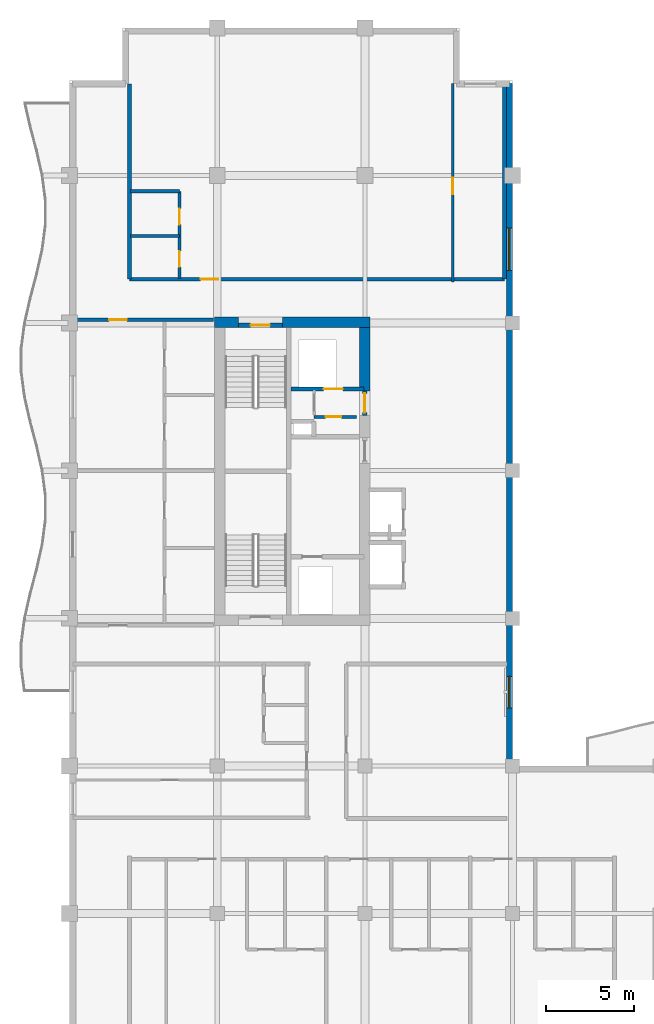
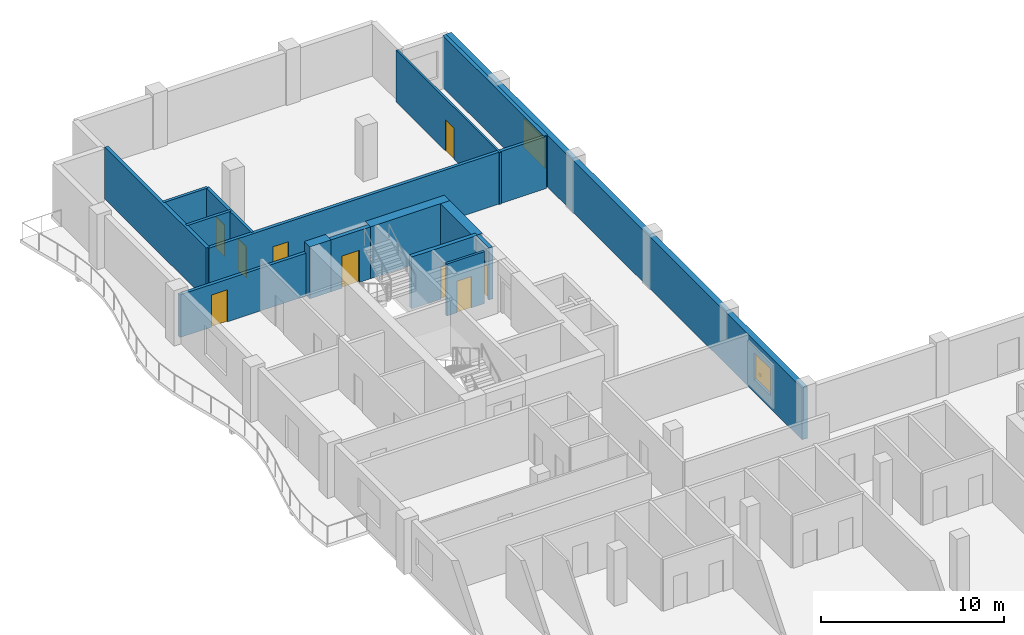
# One storey, part 7 of 12: 16 walls, 9 doors, 2 windows, 11 openings.
"""IFC4 building model written with IfcOpenShell, lengths in metres."""

from ifc_helpers import new_model, si_unit, direction, frame, frame_2d, origin, place, context, subcontext, project, spatial, rectangle, extrude, material, layer, layer_set, type_object, element, fill, save


model = new_model("IFC4")

# Units and contexts
model_context = context("Model", 3, precision=1e-05, world=origin(), true_north=direction((0.0, 1.0)))
body_context = subcontext(model_context, "Body", "Model", "MODEL_VIEW")
ifc_project = project(units=[si_unit("LENGTHUNIT", "METRE"), si_unit("AREAUNIT", "SQUARE_METRE"), si_unit("VOLUMEUNIT", "CUBIC_METRE"), si_unit("PLANEANGLEUNIT", "RADIAN"), si_unit("MASSUNIT", "GRAM", prefix="KILO")], contexts=[model_context])

# Site, building, storey
site_placement = place(None, origin())
site = spatial("IfcSite", under=ifc_project, at=site_placement, CompositionType="ELEMENT")
building_placement = place(site_placement, origin())
building = spatial("IfcBuilding", under=site, at=building_placement, Name="Koriwani Terraces Tower", CompositionType="ELEMENT")
storey_placement = place(building_placement, frame((0.0, 0.0, 249.0)))
storey = spatial("IfcBuildingStorey", under=building, at=storey_placement, Name="L61", CompositionType="ELEMENT", Elevation=249.0)

# Walls
ifc_material_1 = material(Name="Concrete C60/75", Category="concrete")
ifc_layer_1 = layer(ifc_material_1, 0.60009765625, Name="Concrete C60/75")
ifc_layer_set_1 = layer_set([ifc_layer_1], Name="Concrete C60/75")
wall_type_1 = type_object("IfcWallType", Name="WALL_CORE_RC_600", PredefinedType="SHEAR", material=ifc_layer_set_1)
wall_1_placement = place(storey_placement, frame((16.64990234375, 58.85009765625, 0.0), z_axis=(0.0, 0.0, 1.0), x_axis=(1.0, 0.0, 0.0)))
element("IfcWall", 1, at=wall_1_placement, inside=storey, type_object=wall_type_1, Name="L61 West Split Core Shear Wall N1", PredefinedType="SHEAR", context=body_context, shape_type="SweptSolid", body=[
    extrude(rectangle(XDim=1.35009765625, YDim=0.60009765625, at=frame_2d((0.675048828125, 0.0))), origin(), (0.0, 0.0, 1.0), 3.469970703125),
])
wall_2_placement = place(storey_placement, frame((20.5, 58.85009765625, 0.0), z_axis=(0.0, 0.0, 1.0), x_axis=(1.0, 0.0, 0.0)))
element("IfcWall", 2, at=wall_2_placement, inside=storey, type_object=wall_type_1, Name="L61 West Split Core Shear Wall N2", PredefinedType="SHEAR", context=body_context, shape_type="SweptSolid", body=[
    extrude(rectangle(XDim=5.0, YDim=0.60009765625, at=frame_2d((2.5, 0.0))), origin(), (0.0, 0.0, 1.0), 3.469970703125),
])
wall_3_placement = place(storey_placement, frame((25.199951171875, 54.949951171875, 0.0), z_axis=(0.0, 0.0, 1.0), x_axis=(0.0, 1.0, 0.0)))
element("IfcWall", 3, at=wall_3_placement, inside=storey, type_object=wall_type_1, Name="L61 West Split Core Shear Wall E3", PredefinedType="SHEAR", context=body_context, shape_type="SweptSolid", body=[
    extrude(rectangle(XDim=3.60009765625, YDim=0.60009765625, at=frame_2d((1.800048828125, 0.0))), origin(), (0.0, 0.0, 1.0), 3.469970703125),
])

# Wall, opening, door
ifc_material_2 = material(Name="Autoclaved Cellular Concrete Blockwork", Category="masonry")
ifc_layer_2 = layer(ifc_material_2, 0.199951171875, Name="Autoclaved Cellular Concrete Blockwork")
ifc_layer_set_2 = layer_set([ifc_layer_2], Name="Autoclaved Cellular Concrete Blockwork")
wall_type_2 = type_object("IfcWallType", Name="WALL_CORRIDOR_200", PredefinedType="PARTITIONING", material=ifc_layer_set_2)
wall_4_placement = place(storey_placement, frame((8.64990234375, 59.0, 0.0), z_axis=(0.0, 0.0, 1.0), x_axis=(1.0, 0.0, 0.0)))
wall_4 = element("IfcWall", 4, at=wall_4_placement, inside=storey, type_object=wall_type_2, Name="L61 Interior Wall WRZ4-WN-L61", PredefinedType="PARTITIONING", context=body_context, shape_type="SweptSolid", body=[
    extrude(rectangle(XDim=7.9501953125, YDim=0.199951171875, at=frame_2d((3.97509765625, 0.0))), origin(), (0.0, 0.0, 1.0), 2.85302734375),
])
opening_1_placement = place(wall_4_placement, frame((2.0, 0.0, 0.0)))
opening_1 = element("IfcOpeningElement", 5, at=opening_1_placement, cuts=wall_4, Name="Opening D-05", PredefinedType="OPENING", context=body_context, shape_type="SweptSolid", body=[
    extrude(rectangle(XDim=1.0, YDim=2.14990234375, at=frame_2d((0.5, 1.074951171875))), frame((0.0, 0.10986328125, 0.0), z_axis=(0.0, -1.0, 0.0), x_axis=(1.0, 0.0, 0.0)), (0.0, 0.0, 1.0), 0.219970703125),
])
ifc_material_3 = material(Name="Architectural Oak Fire Door", Category="wood")
door_type_1 = type_object("IfcDoorType", Name="DOOR_SUITE_ENTRY_1000X2150", OperationType="NOTDEFINED", PredefinedType="DOOR", material=ifc_material_3)
door_1_placement = place(opening_1_placement, origin())
door_1 = element("IfcDoor", 6, at=door_1_placement, inside=storey, type_object=door_type_1, Name="Apartment 61RW2 Entrance Door", OperationType="SINGLE_SWING_LEFT", OverallHeight=2.14990234375, OverallWidth=1.0, PredefinedType="DOOR", context=body_context, shape_type="SweptSolid", body=[
    extrude(rectangle(XDim=1.0, YDim=2.14990234375, at=frame_2d((0.5, 1.074951171875))), frame((0.0, 0.02490234375, 0.0), z_axis=(0.0, -1.0, 0.0), x_axis=(1.0, 0.0, 0.0)), (0.0, 0.0, 1.0), 0.050048828125),
])
fill(opening_1, door_1)

wall_5_placement = place(storey_placement, frame((11.800048828125, 61.300048828125, 0.0), z_axis=(0.0, 0.0, 1.0), x_axis=(1.0, 0.0, 0.0)))
wall_5 = element("IfcWall", 7, at=wall_5_placement, inside=storey, type_object=wall_type_2, Name="L61 Interior Wall WGB-L61-NT-S", PredefinedType="PARTITIONING", context=body_context, shape_type="SweptSolid", body=[
    extrude(rectangle(XDim=21.349853515625, YDim=0.199951171875, at=frame_2d((10.6748046875, 0.0))), origin(), (0.0, 0.0, 1.0), 3.469970703125),
])
opening_2_placement = place(wall_5_placement, frame((4.050048828125, 0.0, 0.0)))
opening_2 = element("IfcOpeningElement", 8, at=opening_2_placement, cuts=wall_5, Name="Opening D-05", PredefinedType="OPENING", context=body_context, shape_type="SweptSolid", body=[
    extrude(rectangle(XDim=1.0, YDim=2.14990234375, at=frame_2d((0.5, 1.074951171875))), frame((0.0, 0.10986328125, 0.0), z_axis=(0.0, -1.0, 0.0), x_axis=(1.0, 0.0, 0.0)), (0.0, 0.0, 1.0), 0.219970703125),
])
door_2_placement = place(opening_2_placement, origin())
door_2 = element("IfcDoor", 9, at=door_2_placement, inside=storey, type_object=door_type_1, Name="Apartment 61NT Entrance Door", OperationType="SINGLE_SWING_RIGHT", OverallHeight=2.14990234375, OverallWidth=1.0, PredefinedType="DOOR", context=body_context, shape_type="SweptSolid", body=[
    extrude(rectangle(XDim=1.0, YDim=2.14990234375, at=frame_2d((0.5, 1.074951171875))), frame((0.0, 0.02490234375, 0.0), z_axis=(0.0, -1.0, 0.0), x_axis=(1.0, 0.0, 0.0)), (0.0, 0.0, 1.0), 0.050048828125),
])
fill(opening_2, door_2)

# Walls
ifc_layer_3 = layer(ifc_material_2, 0.219970703125, Name="Autoclaved Cellular Concrete Blockwork")
ifc_layer_set_3 = layer_set([ifc_layer_3], Name="Autoclaved Cellular Concrete Blockwork")
wall_type_3 = type_object("IfcWallType", Name="WALL_DEMISING_220", PredefinedType="PARTITIONING", material=ifc_layer_set_3)
for number, where, z_axis, x_axis, name in (
    (10, (33.14990234375, 61.300048828125, 0.0), (0.0, 0.0, 1.0), (0.0, 1.0, 0.0), "L61 Interior Wall WGB-L61-NT-E"),
    (11, (11.800048828125, 61.300048828125, 0.0), (0.0, 0.0, 1.0), (0.0, 1.0, 0.0), "L61 Interior Wall WGB-L61-NT-W"),
):
    element("IfcWall", number, at=place(storey_placement, frame(where, z_axis=z_axis, x_axis=x_axis)), inside=storey, type_object=wall_type_3, Name=name, PredefinedType="PARTITIONING", context=body_context, shape_type="SweptSolid", body=[
        extrude(rectangle(XDim=11.099853515625, YDim=0.219970703125, at=frame_2d((5.5498046875, 0.0))), origin(), (0.0, 0.0, 1.0), 3.469970703125),
    ])

# Wall, openings, windows
ifc_material_4 = material(Name="Concrete C50/60", Category="concrete")
ifc_layer_4 = layer(ifc_material_4, 0.35009765625, Name="Concrete C50/60")
ifc_layer_set_4 = layer_set([ifc_layer_4], Name="Concrete C50/60")
wall_type_4 = type_object("IfcWallType", Name="WALL_EXT_BRUTALIST_350", PredefinedType="STANDARD", material=ifc_layer_set_4)
wall_6_placement = place(storey_placement, frame((33.425048828125, 72.425048828125, 0.0), z_axis=(0.0, 0.0, 1.0), x_axis=(0.0, -1.0, 0.0)))
wall_6 = element("IfcWall", 12, at=wall_6_placement, inside=storey, type_object=wall_type_4, Name="L61 Fair-Faced Brutalist Exterior Wall (NW_IN)", PredefinedType="STANDARD", context=body_context, shape_type="SweptSolid", body=[
    extrude(rectangle(XDim=39.0, YDim=0.35009765625, at=frame_2d((19.5, 0.0))), origin(), (0.0, 0.0, 1.0), 3.469970703125),
])
opening_3_placement = place(wall_6_placement, frame((33.72509765625, 0.0, 0.85009765625)))
opening_3 = element("IfcOpeningElement", 13, at=opening_3_placement, cuts=wall_6, Name="Opening W-04", PredefinedType="OPENING", context=body_context, shape_type="SweptSolid", body=[
    extrude(rectangle(XDim=1.800048828125, YDim=1.800048828125, at=frame_2d((0.89990234375, 0.89990234375))), frame((0.0, 0.18505859375, 0.0), z_axis=(0.0, -1.0, 0.0), x_axis=(1.0, 0.0, 0.0)), (0.0, 0.0, 1.0), 0.3701171875),
])
opening_4_placement = place(wall_6_placement, frame((8.22509765625, 0.0, 0.85009765625)))
opening_4 = element("IfcOpeningElement", 14, at=opening_4_placement, cuts=wall_6, Name="Opening W-03", PredefinedType="OPENING", context=body_context, shape_type="SweptSolid", body=[
    extrude(rectangle(XDim=2.39990234375, YDim=1.949951171875, at=frame_2d((1.199951171875, 0.97509765625))), frame((0.0, 0.18505859375, 0.0), z_axis=(0.0, -1.0, 0.0), x_axis=(1.0, 0.0, 0.0)), (0.0, 0.0, 1.0), 0.3701171875),
])
ifc_material_5 = material(Name="Tempered Laminated Low-E Glass", Category="glass")
window_type_1 = type_object("IfcWindowType", Name="WIN_RES_BED_1800X1800", PartitioningType="DOUBLE_PANEL_VERTICAL", PredefinedType="WINDOW", material=ifc_material_5)
window_1_placement = place(opening_3_placement, origin())
window_1 = element("IfcWindow", 15, at=window_1_placement, inside=storey, type_object=window_type_1, Name="L61 Exterior Window (NW_IN-2)", OverallHeight=1.800048828125, OverallWidth=1.800048828125, PartitioningType="SINGLE_PANEL", PredefinedType="WINDOW", context=body_context, shape_type="SweptSolid", body=[
    extrude(rectangle(XDim=1.800048828125, YDim=1.800048828125, at=frame_2d((0.89990234375, 0.89990234375))), frame((0.0, 0.030029296875, 0.0), z_axis=(0.0, -1.0, 0.0), x_axis=(1.0, 0.0, 0.0)), (0.0, 0.0, 1.0), 0.06005859375),
])
fill(opening_3, window_1)
window_type_2 = type_object("IfcWindowType", Name="WIN_RES_LIVING_2400X1950", PartitioningType="DOUBLE_PANEL_VERTICAL", PredefinedType="WINDOW", material=ifc_material_5)
window_2_placement = place(opening_4_placement, origin())
window_2 = element("IfcWindow", 16, at=window_2_placement, inside=storey, type_object=window_type_2, Name="L61 Exterior Window (NW_IN-11)", OverallHeight=1.949951171875, OverallWidth=2.39990234375, PartitioningType="SINGLE_PANEL", PredefinedType="WINDOW", context=body_context, shape_type="SweptSolid", body=[
    extrude(rectangle(XDim=2.39990234375, YDim=1.949951171875, at=frame_2d((1.199951171875, 0.97509765625))), frame((0.0, 0.030029296875, 0.0), z_axis=(0.0, -1.0, 0.0), x_axis=(1.0, 0.0, 0.0)), (0.0, 0.0, 1.0), 0.06005859375),
])
fill(opening_4, window_2)

# Wall, opening, door
ifc_material_6 = material(Name="Fire-Rated Acoustic Gypsum Partition", Category="masonry")
ifc_layer_5 = layer(ifc_material_6, 0.125, Name="Fire-Rated Acoustic Gypsum Partition")
ifc_layer_set_5 = layer_set([ifc_layer_5], Name="Fire-Rated Acoustic Gypsum Partition")
wall_type_5 = type_object("IfcWallType", Name="WALL_INT_125", PredefinedType="PARTITIONING", material=ifc_layer_set_5)
wall_7_placement = place(storey_placement, frame((30.199951171875, 61.14990234375, 0.0), z_axis=(0.0, 0.0, 1.0), x_axis=(0.0, 1.0, 0.0)))
wall_7 = element("IfcWall", 17, at=wall_7_placement, inside=storey, type_object=wall_type_5, Name="L61 Interior Wall WGB-L61-NT-BD", PredefinedType="PARTITIONING", context=body_context, shape_type="SweptSolid", body=[
    extrude(rectangle(XDim=11.300048828125, YDim=0.125, at=frame_2d((5.64990234375, 0.0))), origin(), (0.0, 0.0, 1.0), 3.469970703125),
])
opening_5_placement = place(wall_7_placement, frame((4.9951171875, 0.0, 0.0)))
opening_5 = element("IfcOpeningElement", 18, at=opening_5_placement, cuts=wall_7, Name="Opening D-06", PredefinedType="OPENING", context=body_context, shape_type="SweptSolid", body=[
    extrude(rectangle(XDim=0.919921875, YDim=2.10009765625, at=frame_2d((0.4599609375, 1.050048828125))), frame((0.0, 0.072509765625, 0.0), z_axis=(0.0, -1.0, 0.0), x_axis=(1.0, 0.0, 0.0)), (0.0, 0.0, 1.0), 0.14501953125),
])
door_type_2 = type_object("IfcDoorType", Name="DOOR_ROOM_INT_920X2100", OperationType="NOTDEFINED", PredefinedType="DOOR", material=ifc_material_3)
door_3_placement = place(opening_5_placement, origin())
door_3 = element("IfcDoor", 19, at=door_3_placement, inside=storey, type_object=door_type_2, Name="Apartment 61NT Master Suite Door", OperationType="SINGLE_SWING_LEFT", OverallHeight=2.10009765625, OverallWidth=0.919921875, PredefinedType="DOOR", context=body_context, shape_type="SweptSolid", body=[
    extrude(rectangle(XDim=0.919921875, YDim=2.10009765625, at=frame_2d((0.4599609375, 1.050048828125))), frame((0.0, 0.02490234375, 0.0), z_axis=(0.0, -1.0, 0.0), x_axis=(1.0, 0.0, 0.0)), (0.0, 0.0, 1.0), 0.050048828125),
])
fill(opening_5, door_3)

# Wall, openings, doors
ifc_layer_6 = layer(ifc_material_6, 0.179931640625, Name="Fire-Rated Acoustic Gypsum Partition")
ifc_layer_set_6 = layer_set([ifc_layer_6], Name="Fire-Rated Acoustic Gypsum Partition")
wall_type_6 = type_object("IfcWallType", Name="WALL_PLUMBING_180", PredefinedType="PLUMBINGWALL", material=ifc_layer_set_6)
wall_8_placement = place(storey_placement, frame((14.64990234375, 61.35009765625, 0.0), z_axis=(0.0, 0.0, 1.0), x_axis=(0.0, 1.0, 0.0)))
wall_8 = element("IfcWall", 20, at=wall_8_placement, inside=storey, type_object=wall_type_6, Name="L61 Interior Wall WGB-L61-NT-SVB", PredefinedType="PLUMBINGWALL", context=body_context, shape_type="SweptSolid", body=[
    extrude(rectangle(XDim=4.949951171875, YDim=0.179931640625, at=frame_2d((2.47509765625, 0.0))), origin(), (0.0, 0.0, 1.0), 3.469970703125),
])
opening_6_placement = place(wall_8_placement, frame((0.64990234375, 0.0, 0.0)))
opening_6 = element("IfcOpeningElement", 21, at=opening_6_placement, cuts=wall_8, Name="Opening D-07", PredefinedType="OPENING", context=body_context, shape_type="SweptSolid", body=[
    extrude(rectangle(XDim=0.89990234375, YDim=2.10009765625, at=frame_2d((0.449951171875, 1.050048828125))), frame((0.0, 0.10009765625, 0.0), z_axis=(0.0, -1.0, 0.0), x_axis=(1.0, 0.0, 0.0)), (0.0, 0.0, 1.0), 0.199951171875),
])
opening_7_placement = place(wall_8_placement, frame((3.050048828125, 0.0, 0.0)))
opening_7 = element("IfcOpeningElement", 22, at=opening_7_placement, cuts=wall_8, Name="Opening D-06", PredefinedType="OPENING", context=body_context, shape_type="SweptSolid", body=[
    extrude(rectangle(XDim=0.919921875, YDim=2.10009765625, at=frame_2d((0.4599609375, 1.050048828125))), frame((0.0, 0.10009765625, 0.0), z_axis=(0.0, -1.0, 0.0), x_axis=(1.0, 0.0, 0.0)), (0.0, 0.0, 1.0), 0.199951171875),
])
door_type_3 = type_object("IfcDoorType", Name="DOOR_BATH_INT_900X2100", OperationType="NOTDEFINED", PredefinedType="DOOR", material=ifc_material_3)
door_4_placement = place(opening_6_placement, origin())
door_4 = element("IfcDoor", 23, at=door_4_placement, inside=storey, type_object=door_type_3, Name="Apartment 61NT Bathroom Door", OperationType="SINGLE_SWING_LEFT", OverallHeight=2.10009765625, OverallWidth=0.89990234375, PredefinedType="DOOR", context=body_context, shape_type="SweptSolid", body=[
    extrude(rectangle(XDim=0.89990234375, YDim=2.10009765625, at=frame_2d((0.449951171875, 1.050048828125))), frame((0.0, 0.02490234375, 0.0), z_axis=(0.0, -1.0, 0.0), x_axis=(1.0, 0.0, 0.0)), (0.0, 0.0, 1.0), 0.050048828125),
])
fill(opening_6, door_4)
door_5_placement = place(opening_7_placement, origin())
door_5 = element("IfcDoor", 24, at=door_5_placement, inside=storey, type_object=door_type_2, Name="Apartment 61NT Kitchen Door", OperationType="SINGLE_SWING_RIGHT", OverallHeight=2.10009765625, OverallWidth=0.919921875, PredefinedType="DOOR", context=body_context, shape_type="SweptSolid", body=[
    extrude(rectangle(XDim=0.919921875, YDim=2.10009765625, at=frame_2d((0.4599609375, 1.050048828125))), frame((0.0, 0.02490234375, 0.0), z_axis=(0.0, -1.0, 0.0), x_axis=(1.0, 0.0, 0.0)), (0.0, 0.0, 1.0), 0.050048828125),
])
fill(opening_7, door_5)

# Walls
for number, where, z_axis, x_axis, name in (
    (25, (11.85009765625, 63.75, 0.0), (0.0, 0.0, 1.0), (1.0, 0.0, 0.0), "L61 Interior Wall WGB-L61-NT-SVM"),
    (26, (11.85009765625, 66.300048828125, 0.0), (0.0, 0.0, 1.0), (1.0, 0.0, 0.0), "L61 Interior Wall WGB-L61-NT-SV2"),
):
    element("IfcWall", number, at=place(storey_placement, frame(where, z_axis=z_axis, x_axis=x_axis)), inside=storey, type_object=wall_type_6, Name=name, PredefinedType="PLUMBINGWALL", context=body_context, shape_type="SweptSolid", body=[
        extrude(rectangle(XDim=2.7998046875, YDim=0.179931640625, at=frame_2d((1.39990234375, 0.0))), origin(), (0.0, 0.0, 1.0), 3.469970703125),
    ])

# Wall, opening, door
ifc_material_7 = material(Name="Concrete C40/50", Category="concrete")
ifc_layer_7 = layer(ifc_material_7, 0.25, Name="Concrete C40/50")
ifc_layer_set_7 = layer_set([ifc_layer_7], Name="Concrete C40/50")
wall_type_7 = type_object("IfcWallType", Name="WALL_SHAFT_RATED_250", PredefinedType="SOLIDWALL", material=ifc_layer_set_7)
wall_9_placement = place(storey_placement, frame((18.0, 58.675048828125, 0.0), z_axis=(0.0, 0.0, 1.0), x_axis=(1.0, 0.0, 0.0)))
wall_9 = element("IfcWall", 27, at=wall_9_placement, inside=storey, type_object=wall_type_7, Name="L61 Interior Wall WIN-CW-L61-STN", PredefinedType="SOLIDWALL", context=body_context, shape_type="SweptSolid", body=[
    extrude(rectangle(XDim=2.5, YDim=0.25, at=frame_2d((1.25, 0.0))), origin(), (0.0, 0.0, 1.0), 3.469970703125),
])
opening_8_placement = place(wall_9_placement, frame((0.699951171875, 0.0, 0.0)))
opening_8 = element("IfcOpeningElement", 28, at=opening_8_placement, cuts=wall_9, Name="Opening D-03", PredefinedType="OPENING", context=body_context, shape_type="SweptSolid", body=[
    extrude(rectangle(XDim=1.10009765625, YDim=2.14990234375, at=frame_2d((0.550048828125, 1.074951171875))), frame((0.0, 0.135009765625, 0.0), z_axis=(0.0, -1.0, 0.0), x_axis=(1.0, 0.0, 0.0)), (0.0, 0.0, 1.0), 0.27001953125),
])
ifc_material_8 = material(Name="Steel ASTM A572 Grade 50", Category="steel")
door_type_4 = type_object("IfcDoorType", Name="DOOR_STAIR_FIRE_1100X2150", OperationType="NOTDEFINED", PredefinedType="DOOR", material=ifc_material_8)
door_6_placement = place(opening_8_placement, origin())
door_6 = element("IfcDoor", 29, at=door_6_placement, inside=storey, type_object=door_type_4, Name="L61 Exit Stair ST-W2 Door", OperationType="SINGLE_SWING_RIGHT", OverallHeight=2.14990234375, OverallWidth=1.10009765625, PredefinedType="DOOR", context=body_context, shape_type="SweptSolid", body=[
    extrude(rectangle(XDim=1.10009765625, YDim=2.14990234375, at=frame_2d((0.550048828125, 1.074951171875))), frame((0.0, 0.02490234375, 0.0), z_axis=(0.0, -1.0, 0.0), x_axis=(1.0, 0.0, 0.0)), (0.0, 0.0, 1.0), 0.050048828125),
])
fill(opening_8, door_6)

wall_10_placement = place(storey_placement, frame((21.0, 55.050048828125, 0.0), z_axis=(0.0, 0.0, 1.0), x_axis=(1.0, 0.0, 0.0)))
wall_10 = element("IfcWall", 30, at=wall_10_placement, inside=storey, type_object=wall_type_7, Name="L61 Interior Wall WIN-CW-L61-SE", PredefinedType="SOLIDWALL", context=body_context, shape_type="SweptSolid", body=[
    extrude(rectangle(XDim=4.14990234375, YDim=0.25, at=frame_2d((2.074951171875, 0.0))), origin(), (0.0, 0.0, 1.0), 3.469970703125),
])
opening_9_placement = place(wall_10_placement, frame((1.85009765625, 0.0, 0.0)))
opening_9 = element("IfcOpeningElement", 31, at=opening_9_placement, cuts=wall_10, Name="Opening LD-01", PredefinedType="OPENING", context=body_context, shape_type="SweptSolid", body=[
    extrude(rectangle(XDim=1.10009765625, YDim=2.14990234375, at=frame_2d((0.550048828125, 1.074951171875))), frame((0.0, 0.135009765625, 0.0), z_axis=(0.0, -1.0, 0.0), x_axis=(1.0, 0.0, 0.0)), (0.0, 0.0, 1.0), 0.27001953125),
])
door_type_5 = type_object("IfcDoorType", Name="DOOR_LIFT_LANDING_1100X2200", OperationType="NOTDEFINED", PredefinedType="DOOR", material=ifc_material_8)
door_7_placement = place(opening_9_placement, origin())
door_7 = element("IfcDoor", 32, at=door_7_placement, inside=storey, type_object=door_type_5, Name="L61 Goods Lift SE-01 Landing Door", OperationType="SLIDING_TO_LEFT", OverallHeight=2.14990234375, OverallWidth=1.10009765625, PredefinedType="DOOR", context=body_context, shape_type="SweptSolid", body=[
    extrude(rectangle(XDim=1.10009765625, YDim=2.14990234375, at=frame_2d((0.550048828125, 1.074951171875))), frame((0.0, 0.02490234375, 0.0), z_axis=(0.0, -1.0, 0.0), x_axis=(1.0, 0.0, 0.0)), (0.0, 0.0, 1.0), 0.050048828125),
])
fill(opening_9, door_7)

wall_11_placement = place(storey_placement, frame((25.199951171875, 53.550048828125, 0.0), z_axis=(0.0, 0.0, 1.0), x_axis=(0.0, 1.0, 0.0)))
wall_11 = element("IfcWall", 33, at=wall_11_placement, inside=storey, type_object=wall_type_7, Name="L61 Interior Wall WIN-CW-L61-EP2", PredefinedType="SOLIDWALL", context=body_context, shape_type="SweptSolid", body=[
    extrude(rectangle(XDim=1.39990234375, YDim=0.25, at=frame_2d((0.699951171875, 0.0))), origin(), (0.0, 0.0, 1.0), 3.469970703125),
])
opening_10_placement = place(wall_11_placement, frame((0.14990234375, 0.0, 0.0)))
opening_10 = element("IfcOpeningElement", 34, at=opening_10_placement, cuts=wall_11, Name="Opening D-03", PredefinedType="OPENING", context=body_context, shape_type="SweptSolid", body=[
    extrude(rectangle(XDim=1.10009765625, YDim=2.14990234375, at=frame_2d((0.550048828125, 1.074951171875))), frame((0.0, 0.135009765625, 0.0), z_axis=(0.0, -1.0, 0.0), x_axis=(1.0, 0.0, 0.0)), (0.0, 0.0, 1.0), 0.27001953125),
])
door_8_placement = place(opening_10_placement, origin())
door_8 = element("IfcDoor", 35, at=door_8_placement, inside=storey, type_object=door_type_4, Name="L61 West Goods Lift Lobby Door", OperationType="SINGLE_SWING_RIGHT", OverallHeight=2.14990234375, OverallWidth=1.10009765625, PredefinedType="DOOR", context=body_context, shape_type="SweptSolid", body=[
    extrude(rectangle(XDim=1.10009765625, YDim=2.14990234375, at=frame_2d((0.550048828125, 1.074951171875))), frame((0.0, 0.02490234375, 0.0), z_axis=(0.0, -1.0, 0.0), x_axis=(1.0, 0.0, 0.0)), (0.0, 0.0, 1.0), 0.050048828125),
])
fill(opening_10, door_8)

ifc_layer_8 = layer(ifc_material_6, 0.159912109375, Name="Fire-Rated Acoustic Gypsum Partition")
ifc_layer_set_8 = layer_set([ifc_layer_8], Name="Fire-Rated Acoustic Gypsum Partition")
wall_type_8 = type_object("IfcWallType", Name="WALL_SUITE_160", PredefinedType="PARTITIONING", material=ifc_layer_set_8)
wall_12_placement = place(storey_placement, frame((22.320068359375, 53.4599609375, 0.0), z_axis=(0.0, 0.0, 1.0), x_axis=(1.0, 0.0, 0.0)))
wall_12 = element("IfcWall", 36, at=wall_12_placement, inside=storey, type_object=wall_type_8, Name="L61 Interior Wall WIN-CW-L61-SV1B", PredefinedType="PARTITIONING", context=body_context, shape_type="SweptSolid", body=[
    extrude(rectangle(XDim=2.39990234375, YDim=0.159912109375, at=frame_2d((1.199951171875, 0.0))), origin(), (0.0, 0.0, 1.0), 3.469970703125),
])
opening_11_placement = place(wall_12_placement, frame((0.64990234375, 0.0, 0.0)))
opening_11 = element("IfcOpeningElement", 37, at=opening_11_placement, cuts=wall_12, Name="Opening D-07", PredefinedType="OPENING", context=body_context, shape_type="SweptSolid", body=[
    extrude(rectangle(XDim=0.89990234375, YDim=2.10009765625, at=frame_2d((0.449951171875, 1.050048828125))), frame((0.0, 0.08984375, 0.0), z_axis=(0.0, -1.0, 0.0), x_axis=(1.0, 0.0, 0.0)), (0.0, 0.0, 1.0), 0.179931640625),
])
door_9_placement = place(opening_11_placement, origin())
door_9 = element("IfcDoor", 38, at=door_9_placement, inside=storey, type_object=door_type_3, Name="L61 West Cleaners Closet Door", OperationType="SINGLE_SWING_RIGHT", OverallHeight=2.10009765625, OverallWidth=0.89990234375, PredefinedType="DOOR", context=body_context, shape_type="SweptSolid", body=[
    extrude(rectangle(XDim=0.89990234375, YDim=2.10009765625, at=frame_2d((0.449951171875, 1.050048828125))), frame((0.0, 0.02490234375, 0.0), z_axis=(0.0, -1.0, 0.0), x_axis=(1.0, 0.0, 0.0)), (0.0, 0.0, 1.0), 0.050048828125),
])
fill(opening_11, door_9)

save(model, "model.ifc")
